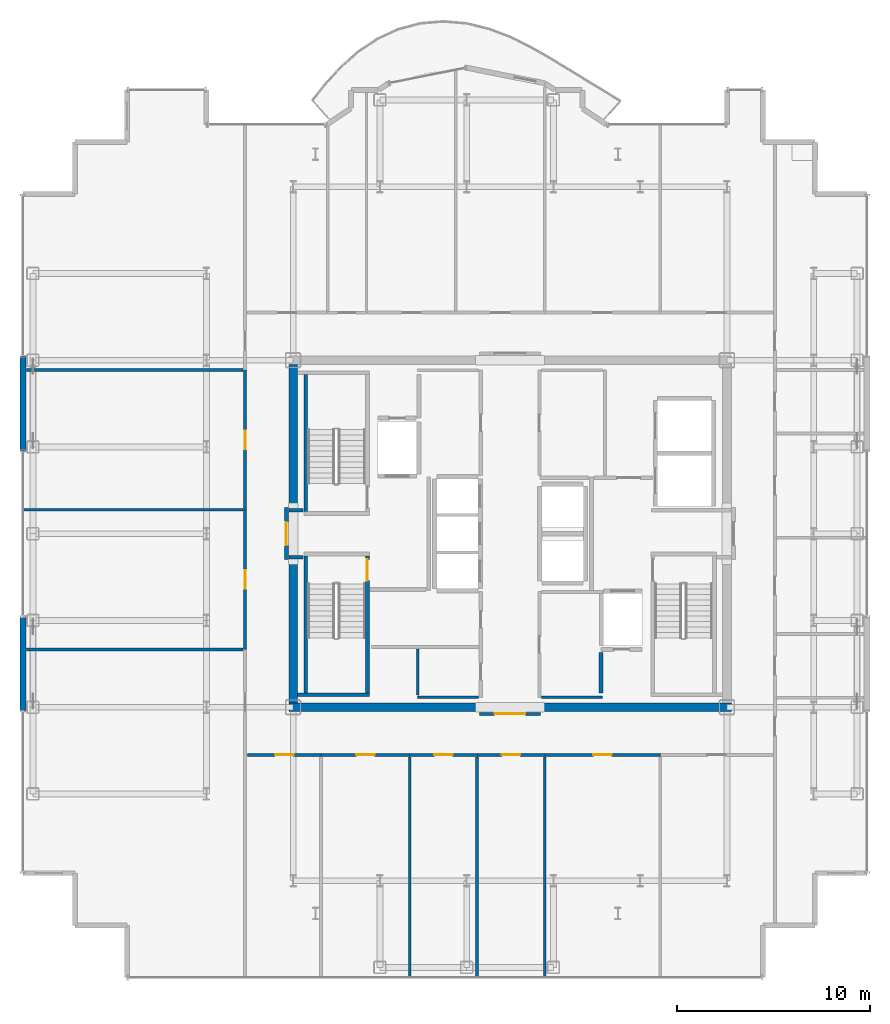
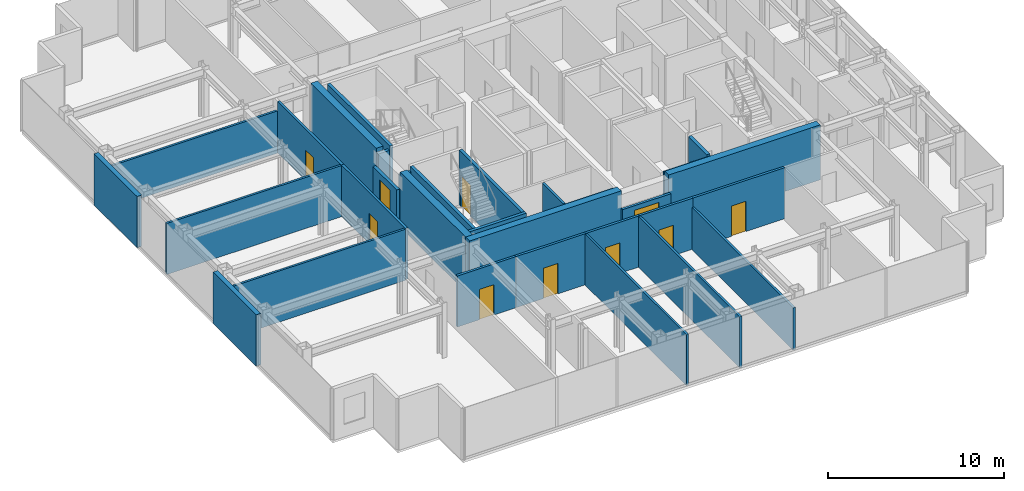
# One storey, part 11 of 16: 31 walls, 10 doors, 10 openings.
"""IFC4 building model written with IfcOpenShell, lengths in metres."""

import ifcopenshell
import ifcopenshell.guid

model = None  # the IFC model being written
_history = None  # IfcOwnerHistory: only IFC2X3 demands one
_inside = {}  # id of a spatial element -> (the spatial element, [elements in it])
_under = {}  # id of a project, library or spatial element -> (it, [spatial elements below it])
_declared = {}  # id of a project -> (the project, [libraries it declares])
_typed = {}  # id of a type object -> (the type object, [elements of that type])
_made_of = {}  # id of a material, layer set ... -> (it, [elements and type objects made of it])


def new_model(schema):
    """Start an empty IFC model of exactly this schema.

    Asked for "IFC4X3", IfcOpenShell would pick the latest addendum, in which some entities
    have other attributes; the version numbers below select the first issue.
    IFC2X3 requires an IfcOwnerHistory on every rooted entity: one is made here for all.
    """
    global model, _history
    if schema == "IFC4X3":
        model = ifcopenshell.file(schema_version=(4, 3, 0, 0))
    else:
        model = ifcopenshell.file(schema=schema)
    _inside.clear()
    _under.clear()
    _declared.clear()
    _typed.clear()
    _made_of.clear()
    _history = None
    if model.schema == "IFC2X3":
        org = make("IfcOrganization", Name="unknown")
        user = make(
            "IfcPersonAndOrganization",
            ThePerson=make("IfcPerson", FamilyName="unknown"),
            TheOrganization=org,
        )
        app = make(
            "IfcApplication",
            ApplicationDeveloper=org,
            Version="unknown",
            ApplicationFullName="unknown",
            ApplicationIdentifier="unknown",
        )
        _history = make(
            "IfcOwnerHistory",
            OwningUser=user,
            OwningApplication=app,
            ChangeAction="ADDED",
            CreationDate=0,
        )
    return model


def make(cls, **values):
    """One entity of the class cls with the attributes given. An attribute that is None is left unset."""
    return model.create_entity(
        cls, **{name: value for name, value in values.items() if value is not None}
    )


def rooted(cls, **values):
    """An entity with a GlobalId (a new one), such as an element, a storey or a relation."""
    return make(cls, GlobalId=ifcopenshell.guid.new(), OwnerHistory=_history, **values)


def si_unit(unit_type, name, prefix=None):
    """IfcSIUnit, for example si_unit("LENGTHUNIT", "METRE", prefix="MILLI")."""
    return make("IfcSIUnit", UnitType=unit_type, Prefix=prefix, Name=name)


def assignment(units):
    """IfcUnitAssignment: the units of a project."""
    return None if units is None else make("IfcUnitAssignment", Units=units)


def point(xyz):
    """IfcCartesianPoint."""
    return None if xyz is None else make("IfcCartesianPoint", Coordinates=xyz)


def direction(xyz):
    """IfcDirection."""
    return None if xyz is None else make("IfcDirection", DirectionRatios=xyz)


def frame(location, z_axis=None, x_axis=None):
    """IfcAxis2Placement3D, a coordinate frame: its origin and axes. An axis left out is left unset."""
    return make(
        "IfcAxis2Placement3D",
        Location=point(location),
        Axis=direction(z_axis),
        RefDirection=direction(x_axis),
    )


def frame_2d(location, x_axis=None):
    """IfcAxis2Placement2D, a coordinate frame in the plane: its origin and x axis."""
    return make(
        "IfcAxis2Placement2D", Location=point(location), RefDirection=direction(x_axis)
    )


def origin():
    """The frame at (0, 0, 0) with its axes left unset."""
    return frame((0.0, 0.0, 0.0))


def place(relative_to, where):
    """IfcLocalPlacement: puts the frame where relative to a parent placement (None: the world)."""
    return make(
        "IfcLocalPlacement", PlacementRelTo=relative_to, RelativePlacement=where
    )


def context(
    kind, dimensions, precision=None, world=None, true_north=None, identifier=None
):
    """IfcGeometricRepresentationContext, for example the 3D "Model" context."""
    return make(
        "IfcGeometricRepresentationContext",
        ContextIdentifier=identifier,
        ContextType=kind,
        CoordinateSpaceDimension=dimensions,
        Precision=precision,
        WorldCoordinateSystem=world,
        TrueNorth=true_north,
    )


def subcontext(parent, identifier, kind, view, scale=None):
    """IfcGeometricRepresentationSubContext, for example "Body" below "Model"."""
    return make(
        "IfcGeometricRepresentationSubContext",
        ContextIdentifier=identifier,
        ContextType=kind,
        ParentContext=parent,
        TargetScale=scale,
        TargetView=view,
    )


def project(units=None, contexts=None):
    """IfcProject with its units and contexts."""
    return rooted(
        "IfcProject",
        Name="project",
        RepresentationContexts=contexts,
        UnitsInContext=assignment(units),
    )


def spatial(cls, under=None, at=None, **own):
    """A site, building, storey or space (cls), placed at a placement, below another one or the project."""
    s = rooted(cls, ObjectPlacement=at, **own)
    if under is not None:
        _under.setdefault(under.id(), (under, []))[1].append(s)
    return s


def profile(cls, at=None, kind="AREA", **sizes):
    """A parametric profile (cls). Its sizes go by their IFC names, for example OverallWidth=200.0."""
    return make(cls, ProfileType=kind, Position=at, **sizes)


def rectangle(**sizes):
    """IfcRectangleProfileDef."""
    return profile("IfcRectangleProfileDef", **sizes)


def extrude(swept, where, along, depth):
    """IfcExtrudedAreaSolid: the profile swept, set in the frame where, extruded along a direction by depth."""
    return make(
        "IfcExtrudedAreaSolid",
        SweptArea=swept,
        Position=where,
        ExtrudedDirection=direction(along),
        Depth=depth,
    )


def shape(context_of_items, identifier, shape_type, items):
    """IfcShapeRepresentation: the items that make up one representation, for example the "Body"."""
    return make(
        "IfcShapeRepresentation",
        ContextOfItems=context_of_items,
        RepresentationIdentifier=identifier,
        RepresentationType=shape_type,
        Items=items,
    )


def source(mapping_origin, context_of_items, identifier, shape_type, items):
    """IfcRepresentationMap: a shape defined once, which mapped items show again and again."""
    return make(
        "IfcRepresentationMap",
        MappingOrigin=mapping_origin,
        MappedRepresentation=shape(context_of_items, identifier, shape_type, items),
    )


def transform(
    local_origin,
    x_axis=None,
    y_axis=None,
    z_axis=None,
    scale=None,
    scale2=None,
    scale3=None,
    uniform=True,
):
    """IfcCartesianTransformationOperator3D, or its non-uniform kind. x_axis, y_axis, z_axis: its Axis1, 2, 3."""
    if uniform:
        return make(
            "IfcCartesianTransformationOperator3D",
            Axis1=direction(x_axis),
            Axis2=direction(y_axis),
            LocalOrigin=point(local_origin),
            Scale=scale,
            Axis3=direction(z_axis),
        )
    return make(
        "IfcCartesianTransformationOperator3DnonUniform",
        Axis1=direction(x_axis),
        Axis2=direction(y_axis),
        LocalOrigin=point(local_origin),
        Scale=scale,
        Axis3=direction(z_axis),
        Scale2=scale2,
        Scale3=scale3,
    )


def mapped(mapping_source, mapping_target):
    """IfcMappedItem: shows the shape of a source again, moved by a transform."""
    return make(
        "IfcMappedItem", MappingSource=mapping_source, MappingTarget=mapping_target
    )


def material(Name=None, Category=None):
    """IfcMaterial."""
    return make("IfcMaterial", Name=Name, Category=Category)


def layer(
    of_material, thickness, ventilated=None, Name=None, Category=None, Priority=None
):
    """IfcMaterialLayer: one layer of a wall or slab, of a material (None: an air gap)."""
    return make(
        "IfcMaterialLayer",
        Material=of_material,
        LayerThickness=thickness,
        IsVentilated=ventilated,
        Name=Name,
        Category=Category,
        Priority=Priority,
    )


def layer_set(layers, Name=None):
    """IfcMaterialLayerSet."""
    return make("IfcMaterialLayerSet", MaterialLayers=layers, LayerSetName=Name)


def made_of(thing, what):
    """Note that an element or type object is made of a material, layer set ...; save() writes the relation."""
    if what is not None:
        _made_of.setdefault(what.id(), (what, []))[1].append(thing)
    return thing


def type_object(cls, material=None, **own):
    """A type object (cls), such as IfcWallType, which elements share."""
    return made_of(rooted(cls, **own), material)


def element(
    cls,
    number,
    at=None,
    inside=None,
    cuts=None,
    type_object=None,
    material=None,
    context=None,
    identifier="Body",
    shape_type=None,
    held_by="IfcProductDefinitionShape",
    body=None,
    shapes=None,
    **own,
):
    """One element of the class cls, such as IfcWall. Its Tag is "e" and its number.

    at: its placement. inside: the storey or other place that contains it. cuts: it is an
    opening in that element (IfcRelVoidsElement). A single representation is given by context,
    identifier, shape_type and body (its items); several are given by shapes. held_by: the class
    of the entity that holds the representations. save() writes the other relations.
    """
    e = rooted(cls, Tag="e%d" % number, ObjectPlacement=at, **own)
    if body is not None:
        shapes = [shape(context, identifier, shape_type, body)]
    if shapes is not None:
        e.Representation = make(held_by, Representations=shapes)
    if inside is not None:
        _inside.setdefault(inside.id(), (inside, []))[1].append(e)
    if cuts is not None:
        rooted(
            "IfcRelVoidsElement", RelatingBuildingElement=cuts, RelatedOpeningElement=e
        )
    if type_object is not None:
        _typed.setdefault(type_object.id(), (type_object, []))[1].append(e)
    return made_of(e, material)


def fill(opening, filler):
    """IfcRelFillsElement: the door or window that sits in an opening."""
    return rooted(
        "IfcRelFillsElement",
        RelatingOpeningElement=opening,
        RelatedBuildingElement=filler,
    )


def aggregate(whole, parts):
    """IfcRelAggregates: a whole, such as a stair, and the parts it consists of."""
    return rooted("IfcRelAggregates", RelatingObject=whole, RelatedObjects=parts)


def save(model, path):
    """Write the relations noted so far, then the file.

    IfcRelAggregates (storeys below a building ...), IfcRelContainedInSpatialStructure (elements
    in a storey), IfcRelDefinesByType, IfcRelAssociatesMaterial and IfcRelDeclares: one each for
    every whole, place, type object, material and project.
    """
    for whole, parts in _under.values():
        aggregate(whole, parts)
    for where, things in _inside.values():
        rooted(
            "IfcRelContainedInSpatialStructure",
            RelatedElements=things,
            RelatingStructure=where,
        )
    for kind, things in _typed.values():
        rooted("IfcRelDefinesByType", RelatedObjects=things, RelatingType=kind)
    for what, things in _made_of.values():
        rooted("IfcRelAssociatesMaterial", RelatedObjects=things, RelatingMaterial=what)
    for by, libraries in _declared.values():
        rooted("IfcRelDeclares", RelatingContext=by, RelatedDefinitions=libraries)
    model.write(path)


model = new_model("IFC4")

# Units and contexts
model_context = context("Model", 3, precision=1e-05, world=origin(), true_north=direction((0.0, 1.0)))
body_context = subcontext(model_context, "Body", "Model", "MODEL_VIEW")
ifc_project = project(units=[si_unit("LENGTHUNIT", "METRE"), si_unit("AREAUNIT", "SQUARE_METRE"), si_unit("VOLUMEUNIT", "CUBIC_METRE"), si_unit("PLANEANGLEUNIT", "RADIAN"), si_unit("MASSUNIT", "GRAM", prefix="KILO")], contexts=[model_context])

# Site, building, storey
site_placement = place(None, origin())
site = spatial("IfcSite", under=ifc_project, at=site_placement, CompositionType="ELEMENT")
building_placement = place(site_placement, origin())
building = spatial("IfcBuilding", under=site, at=building_placement, Name="Nefas-Gora Pilgrimage Tower", CompositionType="ELEMENT")
storey_placement = place(building_placement, frame((0.0, 0.0, 287.39990234375)))
storey = spatial("IfcBuildingStorey", under=building, at=storey_placement, Name="L72", CompositionType="ELEMENT", Elevation=287.39990234375)

# Walls
ifc_material_1 = material(Name="Concrete C50/60", Category="concrete")
ifc_layer_1 = layer(ifc_material_1, 0.449951171875)
ifc_layer_set_1 = layer_set([ifc_layer_1], Name="Concrete C50/60")
wall_type_1 = type_object("IfcWallType", Name="SW-CORE-450", PredefinedType="SHEAR", material=ifc_layer_set_1)
shared_shape_1 = source(origin(), body_context, "Body", "SweptSolid", [
    extrude(rectangle(XDim=9.925048828125, YDim=0.449951171875, at=frame_2d((4.96240234375, 0.0))), origin(), (0.0, 0.0, 1.0), 3.800048828125),
])
for number, where, z_axis, x_axis, name in (
    (1, (-11.47509765625, -9.0, 0.0), (0.0, 0.0, 1.0), (1.0, 0.0, 0.0), "L72 Core Shear Wall S-West"),
    (2, (1.550048828125, -9.0, 0.0), (0.0, 0.0, 1.0), (1.0, 0.0, 0.0), "L72 Core Shear Wall S-East"),
):
    element("IfcWall", number, at=place(storey_placement, frame(where, z_axis=z_axis, x_axis=x_axis)), inside=storey, type_object=wall_type_1, Name=name, PredefinedType="SHEAR", context=body_context, shape_type="MappedRepresentation", body=[
        mapped(shared_shape_1, transform((0.0, 0.0, 0.0), x_axis=(1.0, 0.0, 0.0), y_axis=(0.0, 1.0, 0.0), z_axis=(0.0, 0.0, 1.0), scale=1.0)),
    ])
shared_shape_2 = source(origin(), body_context, "Body", "SweptSolid", [
    extrude(rectangle(XDim=7.4248046875, YDim=0.449951171875, at=frame_2d((3.71240234375, 0.0))), origin(), (0.0, 0.0, 1.0), 3.800048828125),
])
for number, where, z_axis, x_axis, name in (
    (3, (-11.25, -8.77490234375, 0.0), (0.0, 0.0, 1.0), (0.0, 1.0, 0.0), "L72 Core Shear Wall W-South"),
    (4, (-11.25, 1.35009765625, 0.0), (0.0, 0.0, 1.0), (0.0, 1.0, 0.0), "L72 Core Shear Wall W-North"),
):
    element("IfcWall", number, at=place(storey_placement, frame(where, z_axis=z_axis, x_axis=x_axis)), inside=storey, type_object=wall_type_1, Name=name, PredefinedType="SHEAR", context=body_context, shape_type="MappedRepresentation", body=[
        mapped(shared_shape_2, transform((0.0, 0.0, 0.0), x_axis=(1.0, 0.0, 0.0), y_axis=(0.0, 1.0, 0.0), z_axis=(0.0, 0.0, 1.0), scale=1.0)),
    ])
ifc_material_2 = material(Name="Precast concrete C45/55", Category="concrete")
ifc_layer_2 = layer(ifc_material_2, 0.239990234375)
ifc_layer_set_2 = layer_set([ifc_layer_2], Name="Precast concrete C45/55")
wall_type_2 = type_object("IfcWallType", Name="EW-SERR-240", PredefinedType="SHEAR", material=ifc_layer_set_2)
shared_shape_3 = source(origin(), body_context, "Body", "SweptSolid", [
    extrude(rectangle(XDim=4.8798828125, YDim=0.300048828125, at=frame_2d((2.43994140625, 0.0))), origin(), (0.0, 0.0, 1.0), 3.550048828125),
])
for number, where, z_axis, x_axis, name in (
    (5, (-25.27001953125, -9.18994140625, 0.0), (0.0, 0.0, 1.0), (0.0, 1.0, 0.0), "L72 Braced-Tube Precast Shear Cladding 1"),
    (6, (-25.27001953125, 4.31005859375, 0.0), (0.0, 0.0, 1.0), (0.0, 1.0, 0.0), "L72 Braced-Tube Precast Shear Cladding 2"),
):
    element("IfcWall", number, at=place(storey_placement, frame(where, z_axis=z_axis, x_axis=x_axis)), inside=storey, type_object=wall_type_2, Name=name, PredefinedType="SHEAR", context=body_context, shape_type="MappedRepresentation", body=[
        mapped(shared_shape_3, transform((0.0, 0.0, 0.0), x_axis=(1.0, 0.0, 0.0), y_axis=(0.0, 1.0, 0.0), z_axis=(0.0, 0.0, 1.0), scale=1.0)),
    ])
ifc_material_3 = material(Name="Concrete C45/55", Category="concrete")
ifc_layer_3 = layer(ifc_material_3, 0.199951171875)
ifc_layer_set_3 = layer_set([ifc_layer_3], Name="Concrete C45/55")
wall_type_3 = type_object("IfcWallType", Name="IW-STAIR-200", PredefinedType="SOLIDWALL", material=ifc_layer_set_3)
shared_shape_4 = source(origin(), body_context, "Body", "SweptSolid", [
    extrude(rectangle(XDim=7.10009765625, YDim=0.199951171875, at=frame_2d((3.550048828125, 0.0))), origin(), (0.0, 0.0, 1.0), 3.800048828125),
])
for number, where, z_axis, x_axis, name in (
    (7, (-10.60009765625, 1.14990234375, 0.0), (0.0, 0.0, 1.0), (0.0, 1.0, 0.0), "L72 Stairwell Shear Wall ST-01-right"),
    (8, (-10.60009765625, -1.14990234375, 0.0), (0.0, 0.0, 1.0), (0.0, -1.0, 0.0), "L72 Stairwell Shear Wall ST-03-left"),
):
    element("IfcWall", number, at=place(storey_placement, frame(where, z_axis=z_axis, x_axis=x_axis)), inside=storey, type_object=wall_type_3, Name=name, PredefinedType="SOLIDWALL", context=body_context, shape_type="MappedRepresentation", body=[
        mapped(shared_shape_4, transform((0.0, 0.0, 0.0), x_axis=(1.0, 0.0, 0.0), y_axis=(0.0, 1.0, 0.0), z_axis=(0.0, 0.0, 1.0), scale=1.0)),
    ])

# Wall, opening, door
wall_1_placement = place(storey_placement, frame((-7.39990234375, -1.14990234375, 0.0), z_axis=(0.0, 0.0, 1.0), x_axis=(0.0, -1.0, 0.0)))
wall_1 = element("IfcWall", 9, at=wall_1_placement, inside=storey, type_object=wall_type_3, Name="L72 Stairwell Shear Wall ST-03-right", PredefinedType="SOLIDWALL", context=body_context, shape_type="MappedRepresentation", body=[
    mapped(shared_shape_4, transform((0.0, 0.0, 0.0), x_axis=(1.0, 0.0, 0.0), y_axis=(0.0, 1.0, 0.0), z_axis=(0.0, 0.0, 1.0), scale=1.0)),
])
opening_1_placement = place(wall_1_placement, frame((0.179931640625, 0.0, 0.0)))
opening_1 = element("IfcOpeningElement", 10, at=opening_1_placement, cuts=wall_1, Name="Opening ID-ST1", PredefinedType="OPENING", context=body_context, shape_type="SweptSolid", body=[
    extrude(rectangle(XDim=1.10009765625, YDim=2.14990234375, at=frame_2d((0.550048828125, 1.074951171875))), frame((0.0, 0.10986328125, 0.0), z_axis=(0.0, -1.0, 0.0), x_axis=(1.0, 0.0, 0.0)), (0.0, 0.0, 1.0), 0.219970703125),
])
ifc_material_4 = material(Name="Painted galvanised steel fire stair door", Category="steel")
door_type_1 = type_object("IfcDoorType", Name="DR-INT-STAIR-1100", OperationType="NOTDEFINED", PredefinedType="DOOR", material=ifc_material_4)
shared_shape_5 = source(origin(), body_context, "Body", "SweptSolid", [
    extrude(rectangle(XDim=1.10009765625, YDim=2.14990234375, at=frame_2d((0.550048828125, 1.074951171875))), frame((0.0, 0.02490234375, 0.0), z_axis=(0.0, -1.0, 0.0), x_axis=(1.0, 0.0, 0.0)), (0.0, 0.0, 1.0), 0.050048828125),
])
door_1_placement = place(opening_1_placement, origin())
door_1 = element("IfcDoor", 11, at=door_1_placement, inside=storey, type_object=door_type_1, Name="L72 Protected Exit Stair Door ST-03", OperationType="SINGLE_SWING_RIGHT", OverallHeight=2.14990234375, OverallWidth=1.10009765625, PredefinedType="DOOR", context=body_context, shape_type="MappedRepresentation", body=[
    mapped(shared_shape_5, transform((0.0, 0.0, 0.0), x_axis=(1.0, 0.0, 0.0), y_axis=(0.0, 1.0, 0.0), z_axis=(0.0, 0.0, 1.0), scale=1.0)),
])
fill(opening_1, door_1)

# Walls
shared_shape_6 = source(origin(), body_context, "Body", "SweptSolid", [
    extrude(rectangle(XDim=3.72998046875, YDim=0.199951171875, at=frame_2d((1.864990234375, 0.0))), origin(), (0.0, 0.0, 1.0), 3.800048828125),
])
wall_2_placement = place(storey_placement, frame((-11.030029296875, -8.35009765625, 0.0), z_axis=(0.0, 0.0, 1.0), x_axis=(1.0, 0.0, 0.0)))
element("IfcWall", 12, at=wall_2_placement, inside=storey, type_object=wall_type_3, Name="L72 Stairwell Shear Wall ST-03-far", PredefinedType="SOLIDWALL", context=body_context, shape_type="MappedRepresentation", body=[
    mapped(shared_shape_6, transform((0.0, 0.0, 0.0), x_axis=(1.0, 0.0, 0.0), y_axis=(0.0, 1.0, 0.0), z_axis=(0.0, 0.0, 1.0), scale=1.0)),
])
ifc_material_5 = material(Name="Gypsum fire-rated shaftwall")
ifc_layer_4 = layer(ifc_material_5, 0.199951171875)
ifc_layer_set_4 = layer_set([ifc_layer_4], Name="Gypsum fire-rated shaftwall")
wall_type_4 = type_object("IfcWallType", Name="IW-FFLOB-200", PredefinedType="PARTITIONING", material=ifc_layer_set_4)
shared_shape_7 = source(origin(), body_context, "Body", "SweptSolid", [
    extrude(rectangle(XDim=0.719970703125, YDim=0.199951171875, at=frame_2d((0.35986328125, 0.0))), origin(), (0.0, 0.0, 1.0), 3.53515625),
])
for number, where, z_axis, x_axis, name in (
    (13, (-11.4599609375, 1.219970703125, 0.0), (0.0, 0.0, 1.0), (1.0, 0.0, 0.0), "L72 FF Lobby West Throat N Wall 8"),
    (14, (-11.4599609375, -1.219970703125, 0.0), (0.0, 0.0, 1.0), (1.0, 0.0, 0.0), "L72 FF Lobby West Throat S Wall 9"),
):
    element("IfcWall", number, at=place(storey_placement, frame(where, z_axis=z_axis, x_axis=x_axis)), inside=storey, type_object=wall_type_4, Name=name, PredefinedType="PARTITIONING", context=body_context, shape_type="MappedRepresentation", body=[
        mapped(shared_shape_7, transform((0.0, 0.0, 0.0), x_axis=(1.0, 0.0, 0.0), y_axis=(0.0, 1.0, 0.0), z_axis=(0.0, 0.0, 1.0), scale=1.0)),
    ])
ifc_material_6 = material(Name="Gypsum twin-stud partition")
ifc_layer_5 = layer(ifc_material_6, 0.139892578125)
ifc_layer_set_5 = layer_set([ifc_layer_5], Name="Gypsum twin-stud partition")
wall_type_5 = type_object("IfcWallType", Name="IW-UNIT-140", PredefinedType="PARTITIONING", material=ifc_layer_set_5)
shared_shape_8 = source(origin(), body_context, "Body", "SweptSolid", [
    extrude(rectangle(XDim=3.150146484375, YDim=0.139892578125, at=frame_2d((1.5751953125, 0.0))), origin(), (0.0, 0.0, 1.0), 3.53515625),
])
for number, where, z_axis, x_axis, name in (
    (15, (-4.7900390625, -8.47998046875, 0.0), (0.0, 0.0, 1.0), (1.0, 0.0, 0.0), "L72 Freed Bank-2 West Supply Vault Partition Wall 25"),
    (16, (1.639892578125, -8.47998046875, 0.0), (0.0, 0.0, 1.0), (1.0, 0.0, 0.0), "L72 Freed Bank-2 East Linen Store Partition Wall 29"),
):
    element("IfcWall", number, at=place(storey_placement, frame(where, z_axis=z_axis, x_axis=x_axis)), inside=storey, type_object=wall_type_5, Name=name, PredefinedType="PARTITIONING", context=body_context, shape_type="MappedRepresentation", body=[
        mapped(shared_shape_8, transform((0.0, 0.0, 0.0), x_axis=(1.0, 0.0, 0.0), y_axis=(0.0, 1.0, 0.0), z_axis=(0.0, 0.0, 1.0), scale=1.0)),
    ])

# Wall, opening, door
ifc_material_7 = material(Name="Gypsum acoustic stud partition")
ifc_layer_6 = layer(ifc_material_7, 0.159912109375)
ifc_layer_set_6 = layer_set([ifc_layer_6], Name="Gypsum acoustic stud partition")
wall_type_6 = type_object("IfcWallType", Name="IW-CORR-160", PredefinedType="PARTITIONING", material=ifc_layer_set_6)
shared_shape_9 = source(origin(), body_context, "Body", "SweptSolid", [
    extrude(rectangle(XDim=6.010009765625, YDim=0.159912109375, at=frame_2d((3.0048828125, 0.0))), origin(), (0.0, 0.0, 1.0), 3.53515625),
])
wall_3_placement = place(storey_placement, frame((1.794921875, -11.469970703125, 0.0), z_axis=(0.0, 0.0, 1.0), x_axis=(1.0, 0.0, 0.0)))
wall_3 = element("IfcWall", 17, at=wall_3_placement, inside=storey, type_object=wall_type_6, Name="L72 Pilgrim Contemplative Lounge Partition Wall 67", PredefinedType="PARTITIONING", context=body_context, shape_type="MappedRepresentation", body=[
    mapped(shared_shape_9, transform((0.0, 0.0, 0.0), x_axis=(1.0, 0.0, 0.0), y_axis=(0.0, 1.0, 0.0), z_axis=(0.0, 0.0, 1.0), scale=1.0)),
])
opening_2_placement = place(wall_3_placement, frame((2.530029296875, 0.0, 0.0)))
opening_2 = element("IfcOpeningElement", 18, at=opening_2_placement, cuts=wall_3, Name="Opening ID-GR1", PredefinedType="OPENING", context=body_context, shape_type="SweptSolid", body=[
    extrude(rectangle(XDim=0.949951171875, YDim=2.10009765625, at=frame_2d((0.47509765625, 1.050048828125))), frame((0.0, 0.08984375, 0.0), z_axis=(0.0, -1.0, 0.0), x_axis=(1.0, 0.0, 0.0)), (0.0, 0.0, 1.0), 0.179931640625),
])
ifc_material_8 = material(Name="Solid core oak fire-rated guest entrance door")
door_type_2 = type_object("IfcDoorType", Name="DR-INT-GUEST-950", OperationType="NOTDEFINED", PredefinedType="DOOR", material=ifc_material_8)
shared_shape_10 = source(origin(), body_context, "Body", "SweptSolid", [
    extrude(rectangle(XDim=0.949951171875, YDim=2.10009765625, at=frame_2d((0.47509765625, 1.050048828125))), frame((0.0, 0.02490234375, 0.0), z_axis=(0.0, -1.0, 0.0), x_axis=(1.0, 0.0, 0.0)), (0.0, 0.0, 1.0), 0.050048828125),
])
door_2_placement = place(opening_2_placement, origin())
door_2 = element("IfcDoor", 19, at=door_2_placement, inside=storey, type_object=door_type_2, Name="L72 Pilgrim Contemplative Lounge Door 33", OperationType="SINGLE_SWING_LEFT", OverallHeight=2.10009765625, OverallWidth=0.949951171875, PredefinedType="DOOR", context=body_context, shape_type="MappedRepresentation", body=[
    mapped(shared_shape_10, transform((0.0, 0.0, 0.0), x_axis=(1.0, 0.0, 0.0), y_axis=(0.0, 1.0, 0.0), z_axis=(0.0, 0.0, 1.0), scale=1.0)),
])
fill(opening_2, door_2)

shared_shape_11 = source(origin(), body_context, "Body", "SweptSolid", [
    extrude(rectangle(XDim=3.8251953125, YDim=0.159912109375, at=frame_2d((1.91259765625, 0.0))), origin(), (0.0, 0.0, 1.0), 3.53515625),
])
wall_4_placement = place(storey_placement, frame((-13.6201171875, -11.469970703125, 0.0), z_axis=(0.0, 0.0, 1.0), x_axis=(1.0, 0.0, 0.0)))
wall_4 = element("IfcWall", 20, at=wall_4_placement, inside=storey, type_object=wall_type_6, Name="L72 Pilgrim Contemplative Lounge Partition Wall 59", PredefinedType="PARTITIONING", context=body_context, shape_type="MappedRepresentation", body=[
    mapped(shared_shape_11, transform((0.0, 0.0, 0.0), x_axis=(1.0, 0.0, 0.0), y_axis=(0.0, 1.0, 0.0), z_axis=(0.0, 0.0, 1.0), scale=1.0)),
])
opening_3_placement = place(wall_4_placement, frame((1.4375, 0.0, 0.0)))
opening_3 = element("IfcOpeningElement", 21, at=opening_3_placement, cuts=wall_4, Name="Opening ID-GR1", PredefinedType="OPENING", context=body_context, shape_type="SweptSolid", body=[
    extrude(rectangle(XDim=0.949951171875, YDim=2.10009765625, at=frame_2d((0.47509765625, 1.050048828125))), frame((0.0, 0.08984375, 0.0), z_axis=(0.0, -1.0, 0.0), x_axis=(1.0, 0.0, 0.0)), (0.0, 0.0, 1.0), 0.179931640625),
])
door_3_placement = place(opening_3_placement, origin())
door_3 = element("IfcDoor", 22, at=door_3_placement, inside=storey, type_object=door_type_2, Name="L72 Pilgrim Contemplative Lounge Door 29", OperationType="SINGLE_SWING_LEFT", OverallHeight=2.10009765625, OverallWidth=0.949951171875, PredefinedType="DOOR", context=body_context, shape_type="MappedRepresentation", body=[
    mapped(shared_shape_10, transform((0.0, 0.0, 0.0), x_axis=(1.0, 0.0, 0.0), y_axis=(0.0, 1.0, 0.0), z_axis=(0.0, 0.0, 1.0), scale=1.0)),
])
fill(opening_3, door_3)

shared_shape_12 = source(origin(), body_context, "Body", "SweptSolid", [
    extrude(rectangle(XDim=4.60986328125, YDim=0.159912109375, at=frame_2d((2.304931640625, 0.0))), origin(), (0.0, 0.0, 1.0), 3.53515625),
])
wall_5_placement = place(storey_placement, frame((-9.804931640625, -11.469970703125, 0.0), z_axis=(0.0, 0.0, 1.0), x_axis=(1.0, 0.0, 0.0)))
wall_5 = element("IfcWall", 23, at=wall_5_placement, inside=storey, type_object=wall_type_6, Name="L72 Pilgrim Contemplative Lounge Partition Wall 61", PredefinedType="PARTITIONING", context=body_context, shape_type="MappedRepresentation", body=[
    mapped(shared_shape_12, transform((0.0, 0.0, 0.0), x_axis=(1.0, 0.0, 0.0), y_axis=(0.0, 1.0, 0.0), z_axis=(0.0, 0.0, 1.0), scale=1.0)),
])
opening_4_placement = place(wall_5_placement, frame((1.830078125, 0.0, 0.0)))
opening_4 = element("IfcOpeningElement", 24, at=opening_4_placement, cuts=wall_5, Name="Opening ID-GR1", PredefinedType="OPENING", context=body_context, shape_type="SweptSolid", body=[
    extrude(rectangle(XDim=0.949951171875, YDim=2.10009765625, at=frame_2d((0.47509765625, 1.050048828125))), frame((0.0, 0.08984375, 0.0), z_axis=(0.0, -1.0, 0.0), x_axis=(1.0, 0.0, 0.0)), (0.0, 0.0, 1.0), 0.179931640625),
])
door_4_placement = place(opening_4_placement, origin())
door_4 = element("IfcDoor", 25, at=door_4_placement, inside=storey, type_object=door_type_2, Name="L72 Pilgrim Contemplative Lounge Door 30", OperationType="SINGLE_SWING_RIGHT", OverallHeight=2.10009765625, OverallWidth=0.949951171875, PredefinedType="DOOR", context=body_context, shape_type="MappedRepresentation", body=[
    mapped(shared_shape_10, transform((0.0, 0.0, 0.0), x_axis=(1.0, 0.0, 0.0), y_axis=(0.0, 1.0, 0.0), z_axis=(0.0, 0.0, 1.0), scale=1.0)),
])
fill(opening_4, door_4)

shared_shape_13 = source(origin(), body_context, "Body", "SweptSolid", [
    extrude(rectangle(XDim=3.505126953125, YDim=0.159912109375, at=frame_2d((1.75244140625, 0.0))), origin(), (0.0, 0.0, 1.0), 3.53515625),
])
wall_6_placement = place(storey_placement, frame((-5.205078125, -11.469970703125, 0.0), z_axis=(0.0, 0.0, 1.0), x_axis=(1.0, 0.0, 0.0)))
wall_6 = element("IfcWall", 26, at=wall_6_placement, inside=storey, type_object=wall_type_6, Name="L72 Pilgrim Contemplative Lounge Partition Wall 63", PredefinedType="PARTITIONING", context=body_context, shape_type="MappedRepresentation", body=[
    mapped(shared_shape_13, transform((0.0, 0.0, 0.0), x_axis=(1.0, 0.0, 0.0), y_axis=(0.0, 1.0, 0.0), z_axis=(0.0, 0.0, 1.0), scale=1.0)),
])
opening_5_placement = place(wall_6_placement, frame((1.277587890625, 0.0, 0.0)))
opening_5 = element("IfcOpeningElement", 27, at=opening_5_placement, cuts=wall_6, Name="Opening ID-GR1", PredefinedType="OPENING", context=body_context, shape_type="SweptSolid", body=[
    extrude(rectangle(XDim=0.949951171875, YDim=2.10009765625, at=frame_2d((0.47509765625, 1.050048828125))), frame((0.0, 0.08984375, 0.0), z_axis=(0.0, -1.0, 0.0), x_axis=(1.0, 0.0, 0.0)), (0.0, 0.0, 1.0), 0.179931640625),
])
door_5_placement = place(opening_5_placement, origin())
door_5 = element("IfcDoor", 28, at=door_5_placement, inside=storey, type_object=door_type_2, Name="L72 Pilgrim Contemplative Lounge Door 31", OperationType="SINGLE_SWING_LEFT", OverallHeight=2.10009765625, OverallWidth=0.949951171875, PredefinedType="DOOR", context=body_context, shape_type="MappedRepresentation", body=[
    mapped(shared_shape_10, transform((0.0, 0.0, 0.0), x_axis=(1.0, 0.0, 0.0), y_axis=(0.0, 1.0, 0.0), z_axis=(0.0, 0.0, 1.0), scale=1.0)),
])
fill(opening_5, door_5)

shared_shape_14 = source(origin(), body_context, "Body", "SweptSolid", [
    extrude(rectangle(XDim=3.5048828125, YDim=0.159912109375, at=frame_2d((1.75244140625, 0.0))), origin(), (0.0, 0.0, 1.0), 3.53515625),
])
wall_7_placement = place(storey_placement, frame((-1.699951171875, -11.469970703125, 0.0), z_axis=(0.0, 0.0, 1.0), x_axis=(1.0, 0.0, 0.0)))
wall_7 = element("IfcWall", 29, at=wall_7_placement, inside=storey, type_object=wall_type_6, Name="L72 Pilgrim Contemplative Lounge Partition Wall 65", PredefinedType="PARTITIONING", context=body_context, shape_type="MappedRepresentation", body=[
    mapped(shared_shape_14, transform((0.0, 0.0, 0.0), x_axis=(1.0, 0.0, 0.0), y_axis=(0.0, 1.0, 0.0), z_axis=(0.0, 0.0, 1.0), scale=1.0)),
])
opening_6_placement = place(wall_7_placement, frame((1.277587890625, 0.0, 0.0)))
opening_6 = element("IfcOpeningElement", 30, at=opening_6_placement, cuts=wall_7, Name="Opening ID-GR1", PredefinedType="OPENING", context=body_context, shape_type="SweptSolid", body=[
    extrude(rectangle(XDim=0.949951171875, YDim=2.10009765625, at=frame_2d((0.47509765625, 1.050048828125))), frame((0.0, 0.08984375, 0.0), z_axis=(0.0, -1.0, 0.0), x_axis=(1.0, 0.0, 0.0)), (0.0, 0.0, 1.0), 0.179931640625),
])
door_6_placement = place(opening_6_placement, origin())
door_6 = element("IfcDoor", 31, at=door_6_placement, inside=storey, type_object=door_type_2, Name="L72 Pilgrim Contemplative Lounge Door 32", OperationType="SINGLE_SWING_RIGHT", OverallHeight=2.10009765625, OverallWidth=0.949951171875, PredefinedType="DOOR", context=body_context, shape_type="MappedRepresentation", body=[
    mapped(shared_shape_10, transform((0.0, 0.0, 0.0), x_axis=(1.0, 0.0, 0.0), y_axis=(0.0, 1.0, 0.0), z_axis=(0.0, 0.0, 1.0), scale=1.0)),
])
fill(opening_6, door_6)

# Walls
shared_shape_15 = source(origin(), body_context, "Body", "SweptSolid", [
    extrude(rectangle(XDim=11.429931640625, YDim=0.139892578125, at=frame_2d((5.71484375, 0.0))), origin(), (0.0, 0.0, 1.0), 3.53515625),
])
wall_8_placement = place(storey_placement, frame((-25.2900390625, 1.251220703125, 0.0), z_axis=(0.0, 0.0, 1.0), x_axis=(1.0, 0.0, 0.0)))
element("IfcWall", 32, at=wall_8_placement, inside=storey, type_object=wall_type_5, Name="L72 Pilgrim Tea and Beverage Pantry Partition Wall 38", PredefinedType="PARTITIONING", context=body_context, shape_type="MappedRepresentation", body=[
    mapped(shared_shape_15, transform((0.0, 0.0, 0.0), x_axis=(1.0, 0.0, 0.0), y_axis=(0.0, 1.0, 0.0), z_axis=(0.0, 0.0, 1.0), scale=1.0)),
])
shared_shape_16 = source(origin(), body_context, "Body", "SweptSolid", [
    extrude(rectangle(XDim=11.219970703125, YDim=0.139892578125, at=frame_2d((5.60986328125, 0.0))), origin(), (0.0, 0.0, 1.0), 3.53515625),
])
wall_9_placement = place(storey_placement, frame((-25.080078125, -6.0048828125, 0.0), z_axis=(0.0, 0.0, 1.0), x_axis=(1.0, 0.0, 0.0)))
element("IfcWall", 33, at=wall_9_placement, inside=storey, type_object=wall_type_5, Name="L72 Pilgrim Tea and Beverage Pantry Partition Wall 34", PredefinedType="PARTITIONING", context=body_context, shape_type="MappedRepresentation", body=[
    mapped(shared_shape_16, transform((0.0, 0.0, 0.0), x_axis=(1.0, 0.0, 0.0), y_axis=(0.0, 1.0, 0.0), z_axis=(0.0, 0.0, 1.0), scale=1.0)),
])

# Wall, opening, door
shared_shape_17 = source(origin(), body_context, "Body", "SweptSolid", [
    extrude(rectangle(XDim=2.7001953125, YDim=0.199951171875, at=frame_2d((1.35009765625, 0.0))), origin(), (0.0, 0.0, 1.0), 2.625),
])
wall_10_placement = place(storey_placement, frame((-11.60009765625, -1.35009765625, 0.0), z_axis=(0.0, 0.0, 1.0), x_axis=(0.0, 1.0, 0.0)))
wall_10 = element("IfcWall", 34, at=wall_10_placement, inside=storey, type_object=wall_type_4, Name="L72 FF Lobby West Portal Wall 5", PredefinedType="PARTITIONING", context=body_context, shape_type="MappedRepresentation", body=[
    mapped(shared_shape_17, transform((0.0, 0.0, 0.0), x_axis=(1.0, 0.0, 0.0), y_axis=(0.0, 1.0, 0.0), z_axis=(0.0, 0.0, 1.0), scale=1.0)),
])
opening_7_placement = place(wall_10_placement, frame((0.75, 0.0, 0.0)))
opening_7 = element("IfcOpeningElement", 35, at=opening_7_placement, cuts=wall_10, Name="Opening ID-FF1", PredefinedType="OPENING", context=body_context, shape_type="SweptSolid", body=[
    extrude(rectangle(XDim=1.199951171875, YDim=2.14990234375, at=frame_2d((0.60009765625, 1.074951171875))), frame((0.0, 0.10986328125, 0.0), z_axis=(0.0, -1.0, 0.0), x_axis=(1.0, 0.0, 0.0)), (0.0, 0.0, 1.0), 0.219970703125),
])
ifc_material_9 = material(Name="Smoke-sealed steel firefighting lobby door", Category="steel")
door_type_3 = type_object("IfcDoorType", Name="DR-INT-FFLOB-1200", OperationType="NOTDEFINED", PredefinedType="DOOR", material=ifc_material_9)
shared_shape_18 = source(origin(), body_context, "Body", "SweptSolid", [
    extrude(rectangle(XDim=1.199951171875, YDim=2.14990234375, at=frame_2d((0.60009765625, 1.074951171875))), frame((0.0, 0.02490234375, 0.0), z_axis=(0.0, -1.0, 0.0), x_axis=(1.0, 0.0, 0.0)), (0.0, 0.0, 1.0), 0.050048828125),
])
door_7_placement = place(opening_7_placement, origin())
door_7 = element("IfcDoor", 36, at=door_7_placement, inside=storey, type_object=door_type_3, Name="L72 FF Lobby West Portal Door 3", OperationType="SINGLE_SWING_LEFT", OverallHeight=2.14990234375, OverallWidth=1.199951171875, PredefinedType="DOOR", context=body_context, shape_type="MappedRepresentation", body=[
    mapped(shared_shape_18, transform((0.0, 0.0, 0.0), x_axis=(1.0, 0.0, 0.0), y_axis=(0.0, 1.0, 0.0), z_axis=(0.0, 0.0, 1.0), scale=1.0)),
])
fill(opening_7, door_7)

shared_shape_19 = source(origin(), body_context, "Body", "SweptSolid", [
    extrude(rectangle(XDim=3.16015625, YDim=0.159912109375, at=frame_2d((1.580078125, 0.0))), origin(), (0.0, 0.0, 1.0), 2.625),
])
wall_11_placement = place(storey_placement, frame((-1.580078125, -9.35009765625, 0.0), z_axis=(0.0, 0.0, 1.0), x_axis=(1.0, 0.0, 0.0)))
wall_11 = element("IfcWall", 37, at=wall_11_placement, inside=storey, type_object=wall_type_6, Name="L72 Central Lift Lobby South Portal Wall 17", PredefinedType="PARTITIONING", context=body_context, shape_type="MappedRepresentation", body=[
    mapped(shared_shape_19, transform((0.0, 0.0, 0.0), x_axis=(1.0, 0.0, 0.0), y_axis=(0.0, 1.0, 0.0), z_axis=(0.0, 0.0, 1.0), scale=1.0)),
])
opening_8_placement = place(wall_11_placement, frame((0.780029296875, 0.0, 0.0)))
opening_8 = element("IfcOpeningElement", 38, at=opening_8_placement, cuts=wall_11, Name="Opening ID-HL1", PredefinedType="OPENING", context=body_context, shape_type="SweptSolid", body=[
    extrude(rectangle(XDim=1.60009765625, YDim=2.300048828125, at=frame_2d((0.800048828125, 1.14990234375))), frame((0.0, 0.08984375, 0.0), z_axis=(0.0, -1.0, 0.0), x_axis=(1.0, 0.0, 0.0)), (0.0, 0.0, 1.0), 0.179931640625),
])
ifc_material_10 = material(Name="Double acoustic timber assembly hall door", Category="wood")
door_type_4 = type_object("IfcDoorType", Name="DR-INT-HALL-1600", OperationType="DOUBLE_DOOR_SINGLE_SWING", PredefinedType="DOOR", material=ifc_material_10)
shared_shape_20 = source(origin(), body_context, "Body", "SweptSolid", [
    extrude(rectangle(XDim=1.60009765625, YDim=2.300048828125, at=frame_2d((0.800048828125, 1.14990234375))), frame((0.0, 0.02490234375, 0.0), z_axis=(0.0, -1.0, 0.0), x_axis=(1.0, 0.0, 0.0)), (0.0, 0.0, 1.0), 0.050048828125),
])
door_8_placement = place(opening_8_placement, origin())
door_8 = element("IfcDoor", 39, at=door_8_placement, inside=storey, type_object=door_type_4, Name="L72 Central Lift Lobby South Portal Door 7", OperationType="DOUBLE_DOOR_SINGLE_SWING", OverallHeight=2.300048828125, OverallWidth=1.60009765625, PredefinedType="DOOR", context=body_context, shape_type="MappedRepresentation", body=[
    mapped(shared_shape_20, transform((0.0, 0.0, 0.0), x_axis=(1.0, 0.0, 0.0), y_axis=(0.0, 1.0, 0.0), z_axis=(0.0, 0.0, 1.0), scale=1.0)),
])
fill(opening_8, door_8)

# Walls
shared_shape_21 = source(origin(), body_context, "Body", "SweptSolid", [
    extrude(rectangle(XDim=11.219970703125, YDim=0.139892578125, at=frame_2d((5.60986328125, 0.0))), origin(), (0.0, 0.0, 1.0), 2.925048828125),
])
wall_12_placement = place(storey_placement, frame((-25.080078125, 8.49755859375, 0.0), z_axis=(0.0, 0.0, 1.0), x_axis=(1.0, 0.0, 0.0)))
element("IfcWall", 40, at=wall_12_placement, inside=storey, type_object=wall_type_5, Name="L72 Pilgrim Tea and Beverage Pantry Partition Wall 36", PredefinedType="PARTITIONING", context=body_context, shape_type="MappedRepresentation", body=[
    mapped(shared_shape_21, transform((0.0, 0.0, 0.0), x_axis=(1.0, 0.0, 0.0), y_axis=(0.0, 1.0, 0.0), z_axis=(0.0, 0.0, 1.0), scale=1.0)),
])
ifc_material_11 = material(Name="Concrete C40/50", Category="concrete")
ifc_layer_7 = layer(ifc_material_11, 0.219970703125)
ifc_layer_set_7 = layer_set([ifc_layer_7], Name="Concrete C40/50")
wall_type_7 = type_object("IfcWallType", Name="IW-SHAFT-220", PredefinedType="SOLIDWALL", material=ifc_layer_set_7)
shared_shape_22 = source(origin(), body_context, "Body", "SweptSolid", [
    extrude(rectangle(XDim=2.10009765625, YDim=0.219970703125, at=frame_2d((1.050048828125, 0.0))), origin(), (0.0, 0.0, 1.0), 3.53515625),
])
wall_13_placement = place(storey_placement, frame((4.719970703125, -8.25, 0.0), z_axis=(0.0, 0.0, 1.0), x_axis=(0.0, 1.0, 0.0)))
element("IfcWall", 41, at=wall_13_placement, inside=storey, type_object=wall_type_7, Name="L72 Riser Shaft Wall 4", PredefinedType="SOLIDWALL", context=body_context, shape_type="MappedRepresentation", body=[
    mapped(shared_shape_22, transform((0.0, 0.0, 0.0), x_axis=(1.0, 0.0, 0.0), y_axis=(0.0, 1.0, 0.0), z_axis=(0.0, 0.0, 1.0), scale=1.0)),
])
shared_shape_23 = source(origin(), body_context, "Body", "SweptSolid", [
    extrude(rectangle(XDim=11.449951171875, YDim=0.139892578125, at=frame_2d((5.72509765625, 0.0))), origin(), (0.0, 0.0, 1.0), 3.53515625),
])
for number, where, z_axis, x_axis, name in (
    (42, (-5.205078125, -23.0400390625, 0.0), (0.0, 0.0, 1.0), (0.0, 1.0, 0.0), "L72 Pilgrim Contemplative Lounge Partition Wall 62"),
    (43, (-1.7099609375, -23.0400390625, 0.0), (0.0, 0.0, 1.0), (0.0, 1.0, 0.0), "L72 Pilgrim Contemplative Lounge Partition Wall 64"),
):
    element("IfcWall", number, at=place(storey_placement, frame(where, z_axis=z_axis, x_axis=x_axis)), inside=storey, type_object=wall_type_5, Name=name, PredefinedType="PARTITIONING", context=body_context, shape_type="MappedRepresentation", body=[
        mapped(shared_shape_23, transform((0.0, 0.0, 0.0), x_axis=(1.0, 0.0, 0.0), y_axis=(0.0, 1.0, 0.0), z_axis=(0.0, 0.0, 1.0), scale=1.0)),
    ])
shared_shape_24 = source(origin(), body_context, "Body", "SweptSolid", [
    extrude(rectangle(XDim=11.449951171875, YDim=0.139892578125, at=frame_2d((5.72509765625, 0.0))), origin(), (0.0, 0.0, 1.0), 2.925048828125),
])
wall_14_placement = place(storey_placement, frame((1.794921875, -23.0400390625, 0.0), z_axis=(0.0, 0.0, 1.0), x_axis=(0.0, 1.0, 0.0)))
element("IfcWall", 44, at=wall_14_placement, inside=storey, type_object=wall_type_5, Name="L72 Pilgrim Contemplative Lounge Partition Wall 66", PredefinedType="PARTITIONING", context=body_context, shape_type="MappedRepresentation", body=[
    mapped(shared_shape_24, transform((0.0, 0.0, 0.0), x_axis=(1.0, 0.0, 0.0), y_axis=(0.0, 1.0, 0.0), z_axis=(0.0, 0.0, 1.0), scale=1.0)),
])
shared_shape_25 = source(origin(), body_context, "Body", "SweptSolid", [
    extrude(rectangle(XDim=2.380126953125, YDim=0.139892578125, at=frame_2d((1.18994140625, 0.0))), origin(), (0.0, 0.0, 1.0), 3.53515625),
])
wall_15_placement = place(storey_placement, frame((-4.780029296875, -8.3701171875, 0.0), z_axis=(0.0, 0.0, 1.0), x_axis=(0.0, 1.0, 0.0)))
element("IfcWall", 45, at=wall_15_placement, inside=storey, type_object=wall_type_5, Name="L72 Freed Bank-2 West Supply Vault Partition Wall 26", PredefinedType="PARTITIONING", context=body_context, shape_type="MappedRepresentation", body=[
    mapped(shared_shape_25, transform((0.0, 0.0, 0.0), x_axis=(1.0, 0.0, 0.0), y_axis=(0.0, 1.0, 0.0), z_axis=(0.0, 0.0, 1.0), scale=1.0)),
])

# Wall, opening, door
shared_shape_26 = source(origin(), body_context, "Body", "SweptSolid", [
    extrude(rectangle(XDim=7.246337890625, YDim=0.159912109375, at=frame_2d((3.623046875, 0.0))), origin(), (0.0, 0.0, 1.0), 3.53515625),
])
wall_16_placement = place(storey_placement, frame((-13.739990234375, 1.2412109375, 0.0), z_axis=(0.0, 0.0, 1.0), x_axis=(0.0, 1.0, 0.0)))
wall_16 = element("IfcWall", 46, at=wall_16_placement, inside=storey, type_object=wall_type_6, Name="L72 Pilgrim Tea and Beverage Pantry Partition Wall 37", PredefinedType="PARTITIONING", context=body_context, shape_type="MappedRepresentation", body=[
    mapped(shared_shape_26, transform((0.0, 0.0, 0.0), x_axis=(1.0, 0.0, 0.0), y_axis=(0.0, 1.0, 0.0), z_axis=(0.0, 0.0, 1.0), scale=1.0)),
])
opening_9_placement = place(wall_16_placement, frame((3.148193359375, 0.0, 0.0)))
opening_9 = element("IfcOpeningElement", 47, at=opening_9_placement, cuts=wall_16, Name="Opening ID-GR1", PredefinedType="OPENING", context=body_context, shape_type="SweptSolid", body=[
    extrude(rectangle(XDim=0.949951171875, YDim=2.10009765625, at=frame_2d((0.47509765625, 1.050048828125))), frame((0.0, 0.08984375, 0.0), z_axis=(0.0, -1.0, 0.0), x_axis=(1.0, 0.0, 0.0)), (0.0, 0.0, 1.0), 0.179931640625),
])
door_9_placement = place(opening_9_placement, origin())
door_9 = element("IfcDoor", 48, at=door_9_placement, inside=storey, type_object=door_type_2, Name="L72 Pilgrim Tea and Beverage Pantry Door 16", OperationType="SINGLE_SWING_RIGHT", OverallHeight=2.10009765625, OverallWidth=0.949951171875, PredefinedType="DOOR", context=body_context, shape_type="MappedRepresentation", body=[
    mapped(shared_shape_10, transform((0.0, 0.0, 0.0), x_axis=(1.0, 0.0, 0.0), y_axis=(0.0, 1.0, 0.0), z_axis=(0.0, 0.0, 1.0), scale=1.0)),
])
fill(opening_9, door_9)

shared_shape_27 = source(origin(), body_context, "Body", "SweptSolid", [
    extrude(rectangle(XDim=7.24609375, YDim=0.159912109375, at=frame_2d((3.623046875, 0.0))), origin(), (0.0, 0.0, 1.0), 3.53515625),
])
wall_17_placement = place(storey_placement, frame((-13.739990234375, -6.0048828125, 0.0), z_axis=(0.0, 0.0, 1.0), x_axis=(0.0, 1.0, 0.0)))
wall_17 = element("IfcWall", 49, at=wall_17_placement, inside=storey, type_object=wall_type_6, Name="L72 Pilgrim Tea and Beverage Pantry Partition Wall 39", PredefinedType="PARTITIONING", context=body_context, shape_type="MappedRepresentation", body=[
    mapped(shared_shape_27, transform((0.0, 0.0, 0.0), x_axis=(1.0, 0.0, 0.0), y_axis=(0.0, 1.0, 0.0), z_axis=(0.0, 0.0, 1.0), scale=1.0)),
])
opening_10_placement = place(wall_17_placement, frame((3.148193359375, 0.0, 0.0)))
opening_10 = element("IfcOpeningElement", 50, at=opening_10_placement, cuts=wall_17, Name="Opening ID-GR1", PredefinedType="OPENING", context=body_context, shape_type="SweptSolid", body=[
    extrude(rectangle(XDim=0.949951171875, YDim=2.10009765625, at=frame_2d((0.47509765625, 1.050048828125))), frame((0.0, 0.08984375, 0.0), z_axis=(0.0, -1.0, 0.0), x_axis=(1.0, 0.0, 0.0)), (0.0, 0.0, 1.0), 0.179931640625),
])
door_10_placement = place(opening_10_placement, origin())
door_10 = element("IfcDoor", 51, at=door_10_placement, inside=storey, type_object=door_type_2, Name="L72 Pilgrim Tea and Beverage Pantry Door 17", OperationType="SINGLE_SWING_LEFT", OverallHeight=2.10009765625, OverallWidth=0.949951171875, PredefinedType="DOOR", context=body_context, shape_type="MappedRepresentation", body=[
    mapped(shared_shape_10, transform((0.0, 0.0, 0.0), x_axis=(1.0, 0.0, 0.0), y_axis=(0.0, 1.0, 0.0), z_axis=(0.0, 0.0, 1.0), scale=1.0)),
])
fill(opening_10, door_10)

save(model, "model.ifc")
